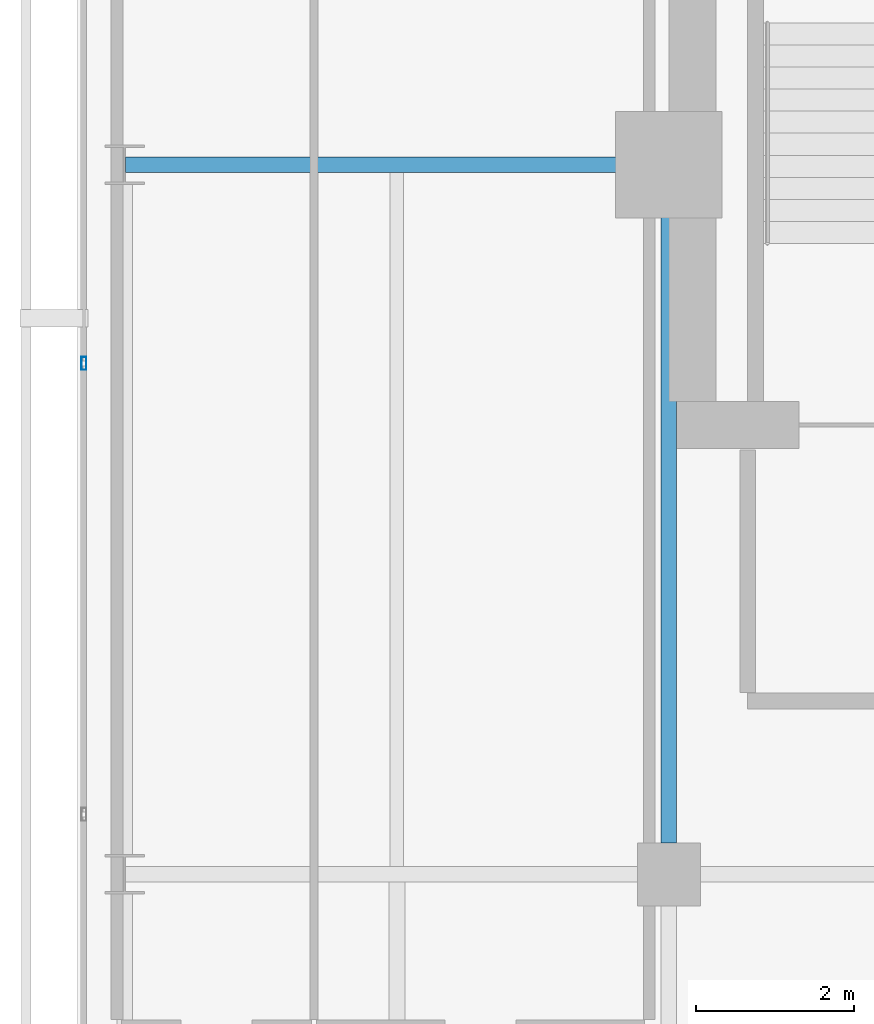
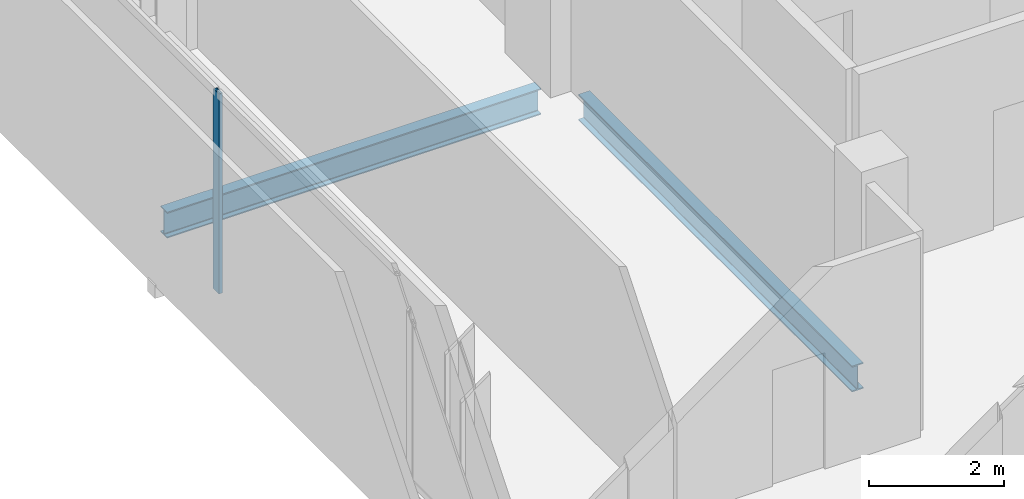
# One storey, part 9 of 24: 2 beams, 1 member, 1 element without a shape of its own.
"""IFC4 building model written with IfcOpenShell, lengths in metres."""

from ifc_helpers import new_model, si_unit, direction, frame, origin, origin_2d, place, context, subcontext, project, spatial, hollow_rectangle, i_section, extrude, material, layer, layer_set, material_profile, profile_set, type_object, element, aggregate, save


model = new_model("IFC4")

# Units and contexts
model_context = context("Model", 3, precision=1e-05, world=origin(), true_north=direction((0.0, 1.0)))
body_context = subcontext(model_context, "Body", "Model", "MODEL_VIEW")
ifc_project = project(units=[si_unit("LENGTHUNIT", "METRE"), si_unit("AREAUNIT", "SQUARE_METRE"), si_unit("VOLUMEUNIT", "CUBIC_METRE"), si_unit("PLANEANGLEUNIT", "RADIAN"), si_unit("MASSUNIT", "GRAM", prefix="KILO")], contexts=[model_context])

# Site, building, storey
site_placement = place(None, origin())
site = spatial("IfcSite", under=ifc_project, at=site_placement, CompositionType="ELEMENT")
building_placement = place(site_placement, origin())
building = spatial("IfcBuilding", under=site, at=building_placement, Name="Maruvema Waterfront Hotel and Observation Tower", CompositionType="ELEMENT")
storey_placement = place(building_placement, frame((0.0, 0.0, 325.85009765625)))
storey = spatial("IfcBuildingStorey", under=building, at=storey_placement, Name="L80", CompositionType="ELEMENT", Elevation=325.85009765625)

# Curtain wall, member
ifc_material_1 = material(Name="Anodised bronze aluminium and solar-control low-E IGU", Category="aluminium")
ifc_layer = layer(ifc_material_1, 0.159912109375, Name="Zone 4 Sky Residence Inner Curtain Wall System CW-05")
ifc_layer_set = layer_set([ifc_layer], Name="Anodised bronze aluminium and solar-control low-E IGU")
curtain_wall_type = type_object("IfcCurtainWallType", Name="Zone 4 Sky Residence Inner Curtain Wall System CW-05", PredefinedType="USERDEFINED", material=ifc_layer_set)
curtain_wall_placement = place(storey_placement, origin())
curtain_wall = element("IfcCurtainWall", 1, at=curtain_wall_placement, inside=storey, type_object=curtain_wall_type, Name="L80 Curtain Wall CW-L80-W", ObjectType="UNITISED CURTAIN WALL", PredefinedType="USERDEFINED")
ifc_material_2 = material(Name="Anodised architectural bronze aluminium", Category="aluminium")
ifc_material_profile_1 = material_profile(ifc_material_2, hollow_rectangle(XDim=0.06494140625, YDim=0.1650390625, WallThickness=0.00390625, at=origin_2d()), Name="ALU-M65x165")
ifc_profile_set_1 = profile_set([ifc_material_profile_1], Name="Anodised architectural bronze aluminium")
member_type = type_object("IfcMemberType", Name="Curtain Wall Primary Mullion ALU-M65x165", PredefinedType="MULLION", material=ifc_profile_set_1)
member_placement = place(storey_placement, frame((17.780029296875, 42.47998046875, 0.0), z_axis=(0.0, 0.0, 1.0), x_axis=(1.0, 0.0, 0.0)))
member = element("IfcMember", 2, at=member_placement, type_object=member_type, Name="CW-05 mullion 2", PredefinedType="MULLION", context=body_context, shape_type="SweptSolid", body=[
    extrude(hollow_rectangle(XDim=0.06494140625, YDim=0.1650390625, WallThickness=0.00390625, at=origin_2d()), origin(), (0.0, 0.0, 1.0), 3.60986328125),
])
aggregate(curtain_wall, [member])

# Beams
ifc_material_3 = material(Name="Steel ASTM A572 Grade 50", Category="steel")
ifc_material_profile_2 = material_profile(ifc_material_3, i_section(OverallWidth=0.194091796875, OverallDepth=0.468994140625, WebThickness=0.0126953125, FlangeThickness=0.0205078125, FilletRadius=0.014892578125, at=origin_2d()), Name="W460x106.0")
ifc_profile_set_2 = profile_set([ifc_material_profile_2], Name="Steel ASTM A572 Grade 50")
beam_type = type_object("IfcBeamType", Name="Primary Floor Girder W460x106.0", PredefinedType="BEAM", material=ifc_profile_set_2)
beam_1_placement = place(storey_placement, frame((18.31103515625, 45.0, -0.474609375), z_axis=(1.0, 0.0, 0.0), x_axis=(0.0, 1.0, 0.0)))
element("IfcBeam", 3, at=beam_1_placement, inside=storey, type_object=beam_type, Name="L80 Floor Girder EW-15", PredefinedType="BEAM", context=body_context, shape_type="SweptSolid", body=[
    extrude(i_section(OverallWidth=0.194091796875, OverallDepth=0.468994140625, WebThickness=0.0126953125, FlangeThickness=0.0205078125, FilletRadius=0.014892578125, at=origin_2d()), origin(), (0.0, 0.0, 1.0), 6.388916015625),
])
beam_2_placement = place(storey_placement, frame((25.199951171875, 36.39990234375, -0.474609375), z_axis=(0.0, 1.0, 0.0), x_axis=(-1.0, 0.0, 0.0)))
element("IfcBeam", 4, at=beam_2_placement, inside=storey, type_object=beam_type, Name="L80 Floor Girder NS-06", PredefinedType="BEAM", context=body_context, shape_type="SweptSolid", body=[
    extrude(i_section(OverallWidth=0.194091796875, OverallDepth=0.468994140625, WebThickness=0.0126953125, FlangeThickness=0.0205078125, FilletRadius=0.014892578125, at=origin_2d()), origin(), (0.0, 0.0, 1.0), 8.10009765625),
])

save(model, "model.ifc")
